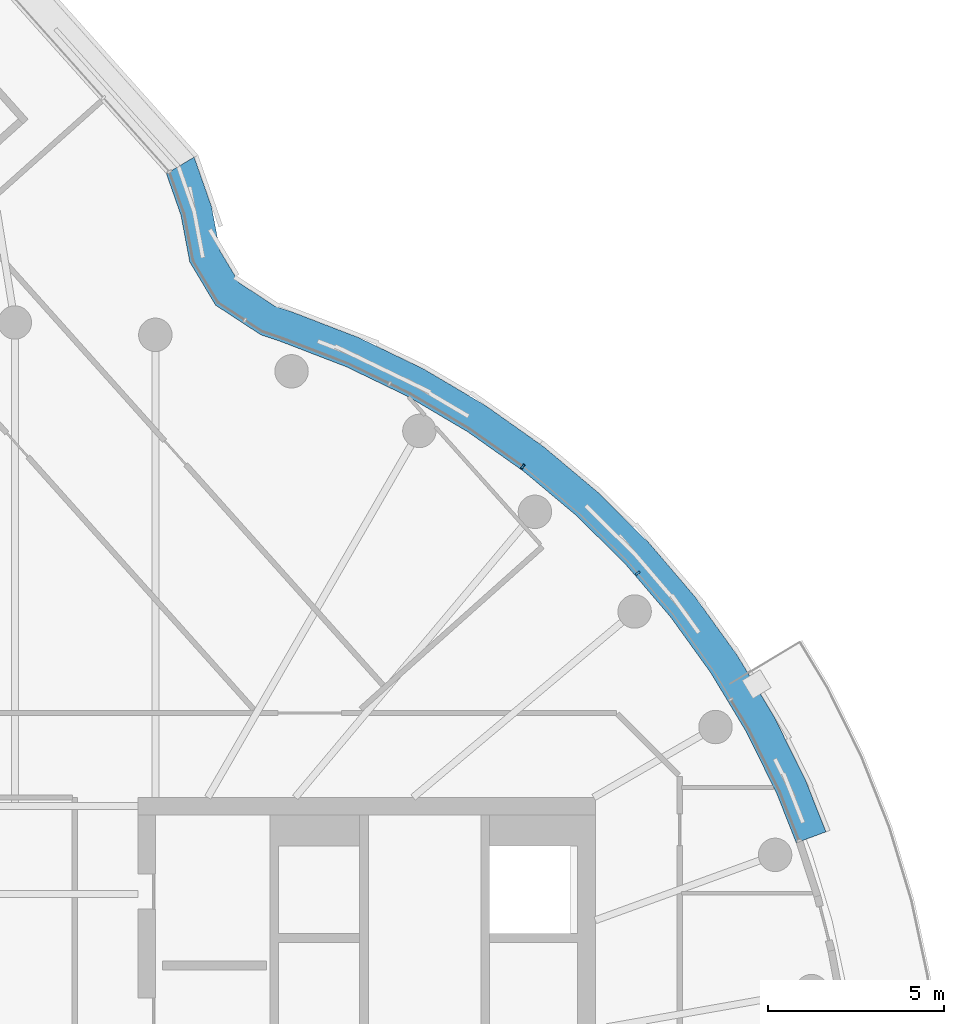
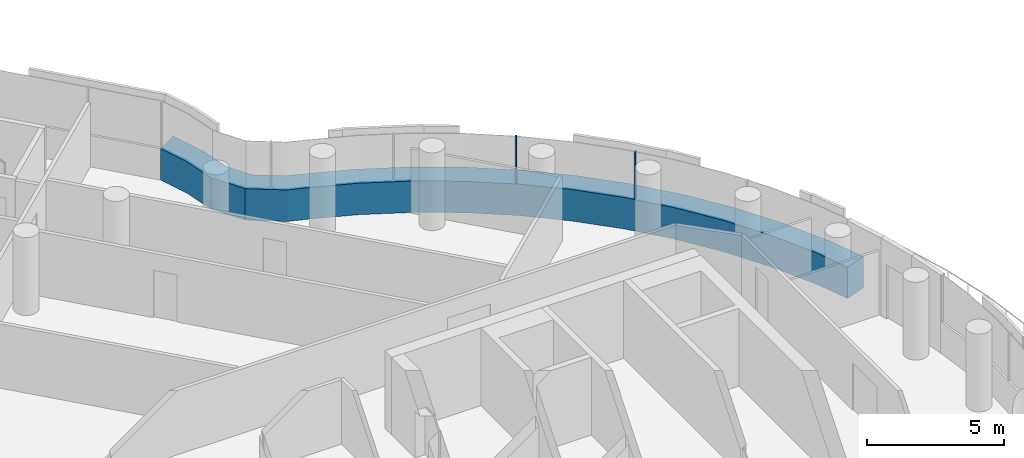
# One storey, part 12 of 33: 3 members, 1 element without a shape of its own.
"""IFC4 building model written with IfcOpenShell, lengths in metres."""

from ifc_helpers import new_model, si_unit, direction, frame, origin, origin_2d, place, context, subcontext, project, spatial, polyline, rectangle, outline, extrude, material, layer, layer_set, material_profile, profile_set, type_object, element, aggregate, save


model = new_model("IFC4")

# Units and contexts
model_context = context("Model", 3, precision=1e-05, world=origin(), true_north=direction((0.0, 1.0)))
body_context = subcontext(model_context, "Body", "Model", "MODEL_VIEW")
ifc_project = project(units=[si_unit("LENGTHUNIT", "METRE"), si_unit("AREAUNIT", "SQUARE_METRE"), si_unit("VOLUMEUNIT", "CUBIC_METRE"), si_unit("PLANEANGLEUNIT", "RADIAN"), si_unit("MASSUNIT", "GRAM", prefix="KILO")], contexts=[model_context])

# Site, building, storey
site_placement = place(None, origin())
site = spatial("IfcSite", under=ifc_project, at=site_placement, CompositionType="ELEMENT")
building_placement = place(site_placement, origin())
building = spatial("IfcBuilding", under=site, at=building_placement, Name="Tamarind Cross Interchange Tower", CompositionType="ELEMENT")
storey_placement = place(building_placement, frame((0.0, 0.0, 186.10009765625)))
storey = spatial("IfcBuildingStorey", under=building, at=storey_placement, Name="L46", CompositionType="ELEMENT", Elevation=186.10009765625)

# Curtain wall, members
ifc_material_1 = material(Name="Aluminium 6063-T6", Category="aluminium")
ifc_layer = layer(ifc_material_1, 0.139892578125)
ifc_layer_set = layer_set([ifc_layer], Name="Aluminium 6063-T6")
curtain_wall_type = type_object("IfcCurtainWallType", Name="Hotel curtain wall, 4.5 m bays", PredefinedType="NOTDEFINED", material=ifc_layer_set)
curtain_wall_placement = place(storey_placement, origin())
curtain_wall = element("IfcCurtainWall", 1, at=curtain_wall_placement, inside=storey, type_object=curtain_wall_type, Name="CWS-L46-06", PredefinedType="NOTDEFINED")
ifc_material_2 = material(Name="Aluminium and insulated spandrel panel", Category="aluminium")
member_type_1 = type_object("IfcMemberType", Name="Floor-edge blade transom", PredefinedType="USERDEFINED", material=ifc_material_2)
member_1_placement = place(storey_placement, origin())
member_1 = element("IfcMember", 2, at=member_1_placement, type_object=member_type_1, Name="CWT-L46-06-1", ObjectType="TRANSOM", PredefinedType="USERDEFINED", context=body_context, shape_type="SweptSolid", body=[
    extrude(outline(polyline([(22.21337890625, 8.2080078125), (21.65869140625, 9.61181640625), (20.791015625, 11.367431640625), (19.78125, 13.045654296875), (18.636474609375, 14.634521484375), (17.3642578125, 16.12353515625), (15.973388671875, 17.50244140625), (14.4736328125, 18.76171875), (12.874755859375, 19.892822265625), (11.188232421875, 20.88818359375), (9.425048828125, 21.74072265625), (7.59130859375, 22.447021484375), (6.983642578125, 22.655029296875), (5.706787109375, 23.4921875), (4.972900390625, 24.7197265625), (4.7197265625, 26.056396484375), (4.30712890625, 27.235107421875), (5.097412109375, 27.701416015625), (5.59130859375, 26.290283203125), (5.827392578125, 25.04443359375), (6.373291015625, 24.13134765625), (7.38232421875, 23.469970703125), (7.89892578125, 23.29296875), (9.783203125, 22.567138671875), (11.613525390625, 21.68212890625), (13.3642578125, 20.64892578125), (15.023681640625, 19.474853515625), (16.580810546875, 18.167724609375), (18.0244140625, 16.736572265625), (19.344970703125, 15.19091796875), (20.533203125, 13.54150390625), (21.581298828125, 11.799560546875), (22.482177734375, 9.97705078125), (23.057861328125, 8.52001953125), (22.21337890625, 8.2080078125)])), origin(), (0.0, 0.0, 1.0), 1.39990234375),
])
ifc_material_profile = material_profile(ifc_material_1, rectangle(XDim=0.06005859375, YDim=0.139892578125, at=origin_2d()), Name="Mullion CW2")
ifc_profile_set = profile_set([ifc_material_profile], Name="Aluminium 6063-T6")
member_type_2 = type_object("IfcMemberType", Name="Mullion CW2", PredefinedType="MULLION", material=ifc_profile_set)
member_2_placement = place(storey_placement, frame((17.70947265625, 15.87353515625, 1.39990234375), z_axis=(0.0, 0.0, 1.0), x_axis=(-0.64957723968, 0.760295606781, 0.0)))
member_2 = element("IfcMember", 3, at=member_2_placement, type_object=member_type_2, Name="CWM-L46-06-10", PredefinedType="MULLION", context=body_context, shape_type="SweptSolid", body=[
    extrude(rectangle(XDim=0.06005859375, YDim=0.139892578125, at=origin_2d()), origin(), (0.0, 0.0, 1.0), 2.06005859375),
])
member_3_placement = place(storey_placement, frame((14.441162109375, 18.9072265625, 1.39990234375), z_axis=(0.0, 0.0, 1.0), x_axis=(-0.816341886298, 0.577568978284, 0.0)))
member_3 = element("IfcMember", 4, at=member_3_placement, type_object=member_type_2, Name="CWM-L46-06-11", PredefinedType="MULLION", context=body_context, shape_type="SweptSolid", body=[
    extrude(rectangle(XDim=0.06005859375, YDim=0.139892578125, at=origin_2d()), origin(), (0.0, 0.0, 1.0), 2.06005859375),
])
aggregate(curtain_wall, [member_2, member_3, member_1])

save(model, "model.ifc")
